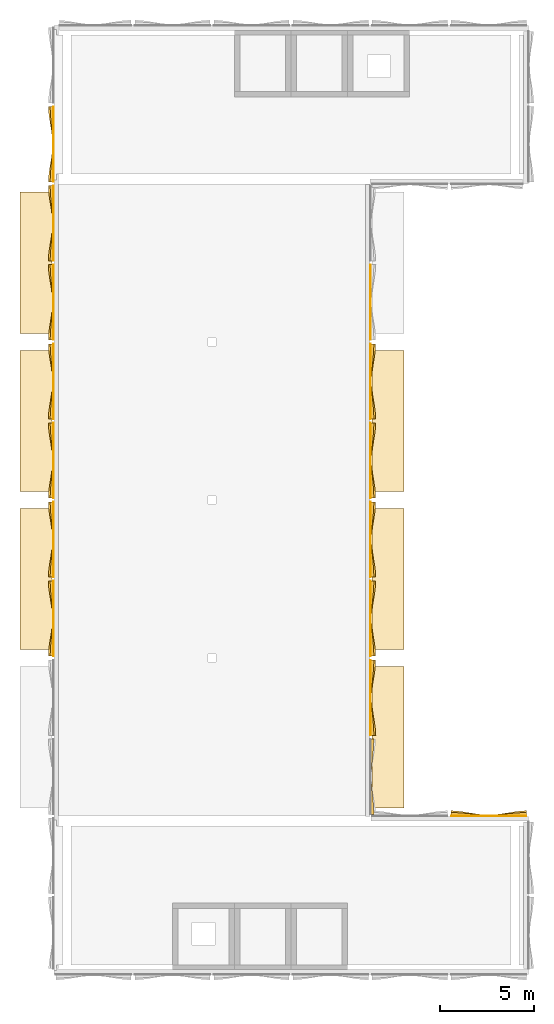
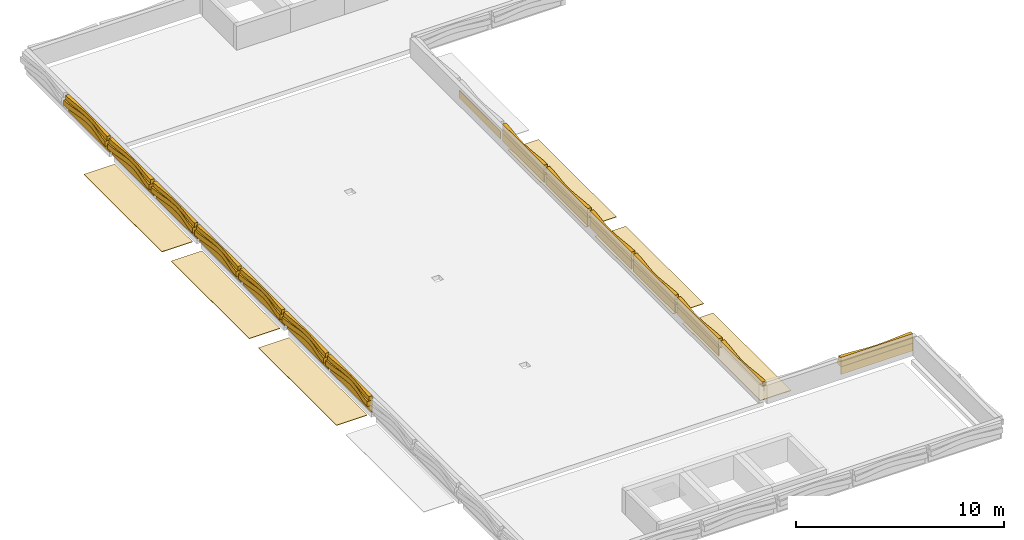
# One storey, part 3 of 4: 47 coverings.
"""IFC4 building model written with IfcOpenShell, lengths in metres."""

from ifc_helpers import new_model, si_unit, direction, frame, origin, origin_2d, place, context, subcontext, project, spatial, polyline, rectangle, outline, extrude, material, layer, layer_set, type_object, element, save


model = new_model("IFC4")

# Units and contexts
model_context = context("Model", 3, precision=1e-05, world=origin(), true_north=direction((0.0, 1.0)))
body_context = subcontext(model_context, "Body", "Model", "MODEL_VIEW")
ifc_project = project(units=[si_unit("LENGTHUNIT", "METRE"), si_unit("AREAUNIT", "SQUARE_METRE"), si_unit("VOLUMEUNIT", "CUBIC_METRE"), si_unit("PLANEANGLEUNIT", "RADIAN"), si_unit("MASSUNIT", "GRAM", prefix="KILO")], contexts=[model_context])

# Site, building, storey
site_placement = place(None, origin())
site = spatial("IfcSite", under=ifc_project, at=site_placement, CompositionType="ELEMENT")
building_placement = place(site_placement, origin())
building = spatial("IfcBuilding", under=site, at=building_placement, Name="Catenary Quay Ferry Terminal", CompositionType="ELEMENT")
storey_placement = place(building_placement, frame((0.0, 0.0, 24.10009765625)))
storey = spatial("IfcBuildingStorey", under=building, at=storey_placement, Name="ROOF", CompositionType="ELEMENT", Elevation=24.10009765625)

# Coverings
ifc_material_1 = material(Name="Facing brick", Category="masonry")
ifc_layer_1 = layer(ifc_material_1, 0.10009765625)
ifc_layer_set_1 = layer_set([ifc_layer_1], Name="CN1")
covering_type_1 = type_object("IfcCoveringType", Name="CN1", PredefinedType="CLADDING", material=ifc_layer_set_1)
covering_1_placement = place(storey_placement, frame((0.0, 0.0, 0.5498046875)))
element("IfcCovering", 1, at=covering_1_placement, inside=storey, type_object=covering_type_1, Name="Undulating corbelled cornice", PredefinedType="CLADDING", context=body_context, shape_type="SweptSolid", body=[
    extrude(outline(polyline([(25.199951171875, 176.5), (24.9013671875, 176.5), (24.9228515625, 176.833251953125), (24.96630859375, 177.166748046875), (25.02099609375, 177.5), (25.073486328125, 177.833251953125), (25.111328125, 178.166748046875), (25.125, 178.5), (25.111328125, 178.833251953125), (25.073486328125, 179.166748046875), (25.02099609375, 179.5), (24.96630859375, 179.833251953125), (24.9228515625, 180.166748046875), (24.9013671875, 180.5), (25.199951171875, 180.5), (25.199951171875, 176.5)])), origin(), (0.0, 0.0, 1.0), 0.300048828125),
])
covering_2_placement = place(storey_placement, frame((0.0, 0.0, 0.849853515625)))
element("IfcCovering", 2, at=covering_2_placement, inside=storey, type_object=covering_type_1, Name="Undulating corbelled cornice", PredefinedType="CLADDING", context=body_context, shape_type="SweptSolid", body=[
    extrude(outline(polyline([(25.199951171875, 176.5), (25.000732421875, 176.5), (25.0126953125, 176.833251953125), (25.036865234375, 177.166748046875), (25.067138671875, 177.5), (25.096435546875, 177.833251953125), (25.117431640625, 178.166748046875), (25.125, 178.5), (25.117431640625, 178.833251953125), (25.096435546875, 179.166748046875), (25.067138671875, 179.5), (25.036865234375, 179.833251953125), (25.0126953125, 180.166748046875), (25.000732421875, 180.5), (25.199951171875, 180.5), (25.199951171875, 176.5)])), origin(), (0.0, 0.0, 1.0), 0.25),
])
covering_3_placement = place(storey_placement, frame((0.0, 0.0, 0.5498046875)))
element("IfcCovering", 3, at=covering_3_placement, inside=storey, type_object=covering_type_1, Name="Undulating corbelled cornice", PredefinedType="CLADDING", context=body_context, shape_type="SweptSolid", body=[
    extrude(outline(polyline([(25.199951171875, 180.699951171875), (24.9013671875, 180.699951171875), (24.9228515625, 181.033203125), (24.96630859375, 181.36669921875), (25.02099609375, 181.699951171875), (25.073486328125, 182.033203125), (25.111328125, 182.36669921875), (25.125, 182.699951171875), (25.111328125, 183.033203125), (25.073486328125, 183.36669921875), (25.02099609375, 183.699951171875), (24.96630859375, 184.033203125), (24.9228515625, 184.36669921875), (24.9013671875, 184.699951171875), (25.199951171875, 184.699951171875), (25.199951171875, 180.699951171875)])), origin(), (0.0, 0.0, 1.0), 0.300048828125),
])
covering_4_placement = place(storey_placement, frame((0.0, 0.0, 0.849853515625)))
element("IfcCovering", 4, at=covering_4_placement, inside=storey, type_object=covering_type_1, Name="Undulating corbelled cornice", PredefinedType="CLADDING", context=body_context, shape_type="SweptSolid", body=[
    extrude(outline(polyline([(25.199951171875, 180.699951171875), (25.000732421875, 180.699951171875), (25.0126953125, 181.033203125), (25.036865234375, 181.36669921875), (25.067138671875, 181.699951171875), (25.096435546875, 182.033203125), (25.117431640625, 182.36669921875), (25.125, 182.699951171875), (25.117431640625, 183.033203125), (25.096435546875, 183.36669921875), (25.067138671875, 183.699951171875), (25.036865234375, 184.033203125), (25.0126953125, 184.36669921875), (25.000732421875, 184.699951171875), (25.199951171875, 184.699951171875), (25.199951171875, 180.699951171875)])), origin(), (0.0, 0.0, 1.0), 0.25),
])
covering_5_placement = place(storey_placement, frame((0.0, 0.0, 0.5498046875)))
element("IfcCovering", 5, at=covering_5_placement, inside=storey, type_object=covering_type_1, Name="Undulating corbelled cornice", PredefinedType="CLADDING", context=body_context, shape_type="SweptSolid", body=[
    extrude(outline(polyline([(25.199951171875, 184.89990234375), (24.9013671875, 184.89990234375), (24.9228515625, 185.2333984375), (24.96630859375, 185.566650390625), (25.02099609375, 185.89990234375), (25.073486328125, 186.2333984375), (25.111328125, 186.566650390625), (25.125, 186.89990234375), (25.111328125, 187.2333984375), (25.073486328125, 187.566650390625), (25.02099609375, 187.89990234375), (24.96630859375, 188.2333984375), (24.9228515625, 188.566650390625), (24.9013671875, 188.89990234375), (25.199951171875, 188.89990234375), (25.199951171875, 184.89990234375)])), origin(), (0.0, 0.0, 1.0), 0.300048828125),
])
covering_6_placement = place(storey_placement, frame((0.0, 0.0, 0.849853515625)))
element("IfcCovering", 6, at=covering_6_placement, inside=storey, type_object=covering_type_1, Name="Undulating corbelled cornice", PredefinedType="CLADDING", context=body_context, shape_type="SweptSolid", body=[
    extrude(outline(polyline([(25.199951171875, 184.89990234375), (25.000732421875, 184.89990234375), (25.0126953125, 185.2333984375), (25.036865234375, 185.566650390625), (25.067138671875, 185.89990234375), (25.096435546875, 186.2333984375), (25.117431640625, 186.566650390625), (25.125, 186.89990234375), (25.117431640625, 187.2333984375), (25.096435546875, 187.566650390625), (25.067138671875, 187.89990234375), (25.036865234375, 188.2333984375), (25.0126953125, 188.566650390625), (25.000732421875, 188.89990234375), (25.199951171875, 188.89990234375), (25.199951171875, 184.89990234375)])), origin(), (0.0, 0.0, 1.0), 0.25),
])
covering_7_placement = place(storey_placement, frame((0.0, 0.0, 0.5498046875)))
element("IfcCovering", 7, at=covering_7_placement, inside=storey, type_object=covering_type_1, Name="Undulating corbelled cornice", PredefinedType="CLADDING", context=body_context, shape_type="SweptSolid", body=[
    extrude(outline(polyline([(25.199951171875, 189.10009765625), (24.9013671875, 189.10009765625), (24.9228515625, 189.433349609375), (24.96630859375, 189.7666015625), (25.02099609375, 190.10009765625), (25.073486328125, 190.433349609375), (25.111328125, 190.7666015625), (25.125, 191.10009765625), (25.111328125, 191.433349609375), (25.073486328125, 191.7666015625), (25.02099609375, 192.10009765625), (24.96630859375, 192.433349609375), (24.9228515625, 192.7666015625), (24.9013671875, 193.10009765625), (25.199951171875, 193.10009765625), (25.199951171875, 189.10009765625)])), origin(), (0.0, 0.0, 1.0), 0.300048828125),
])
covering_8_placement = place(storey_placement, frame((0.0, 0.0, 0.849853515625)))
element("IfcCovering", 8, at=covering_8_placement, inside=storey, type_object=covering_type_1, Name="Undulating corbelled cornice", PredefinedType="CLADDING", context=body_context, shape_type="SweptSolid", body=[
    extrude(outline(polyline([(25.199951171875, 189.10009765625), (25.000732421875, 189.10009765625), (25.0126953125, 189.433349609375), (25.036865234375, 189.7666015625), (25.067138671875, 190.10009765625), (25.096435546875, 190.433349609375), (25.117431640625, 190.7666015625), (25.125, 191.10009765625), (25.117431640625, 191.433349609375), (25.096435546875, 191.7666015625), (25.067138671875, 192.10009765625), (25.036865234375, 192.433349609375), (25.0126953125, 192.7666015625), (25.000732421875, 193.10009765625), (25.199951171875, 193.10009765625), (25.199951171875, 189.10009765625)])), origin(), (0.0, 0.0, 1.0), 0.25),
])
covering_9_placement = place(storey_placement, frame((0.0, 0.0, 0.5498046875)))
element("IfcCovering", 9, at=covering_9_placement, inside=storey, type_object=covering_type_1, Name="Undulating corbelled cornice", PredefinedType="CLADDING", context=body_context, shape_type="SweptSolid", body=[
    extrude(outline(polyline([(25.199951171875, 193.300048828125), (24.9013671875, 193.300048828125), (24.9228515625, 193.63330078125), (24.96630859375, 193.966796875), (25.02099609375, 194.300048828125), (25.073486328125, 194.63330078125), (25.111328125, 194.966796875), (25.125, 195.300048828125), (25.111328125, 195.63330078125), (25.073486328125, 195.966796875), (25.02099609375, 196.300048828125), (24.96630859375, 196.63330078125), (24.9228515625, 196.966796875), (24.9013671875, 197.300048828125), (25.199951171875, 197.300048828125), (25.199951171875, 193.300048828125)])), origin(), (0.0, 0.0, 1.0), 0.300048828125),
])
covering_10_placement = place(storey_placement, frame((0.0, 0.0, 0.849853515625)))
element("IfcCovering", 10, at=covering_10_placement, inside=storey, type_object=covering_type_1, Name="Undulating corbelled cornice", PredefinedType="CLADDING", context=body_context, shape_type="SweptSolid", body=[
    extrude(outline(polyline([(25.199951171875, 193.300048828125), (25.000732421875, 193.300048828125), (25.0126953125, 193.63330078125), (25.036865234375, 193.966796875), (25.067138671875, 194.300048828125), (25.096435546875, 194.63330078125), (25.117431640625, 194.966796875), (25.125, 195.300048828125), (25.117431640625, 195.63330078125), (25.096435546875, 195.966796875), (25.067138671875, 196.300048828125), (25.036865234375, 196.63330078125), (25.0126953125, 196.966796875), (25.000732421875, 197.300048828125), (25.199951171875, 197.300048828125), (25.199951171875, 193.300048828125)])), origin(), (0.0, 0.0, 1.0), 0.25),
])
covering_11_placement = place(storey_placement, frame((0.0, 0.0, 0.5498046875)))
element("IfcCovering", 11, at=covering_11_placement, inside=storey, type_object=covering_type_1, Name="Undulating corbelled cornice", PredefinedType="CLADDING", context=body_context, shape_type="SweptSolid", body=[
    extrude(outline(polyline([(25.199951171875, 197.5), (24.9013671875, 197.5), (24.9228515625, 197.833251953125), (24.96630859375, 198.166748046875), (25.02099609375, 198.5), (25.073486328125, 198.833251953125), (25.111328125, 199.166748046875), (25.125, 199.5), (25.111328125, 199.833251953125), (25.073486328125, 200.166748046875), (25.02099609375, 200.5), (24.96630859375, 200.833251953125), (24.9228515625, 201.166748046875), (24.9013671875, 201.5), (25.199951171875, 201.5), (25.199951171875, 197.5)])), origin(), (0.0, 0.0, 1.0), 0.300048828125),
])
covering_12_placement = place(storey_placement, frame((0.0, 0.0, 0.849853515625)))
element("IfcCovering", 12, at=covering_12_placement, inside=storey, type_object=covering_type_1, Name="Undulating corbelled cornice", PredefinedType="CLADDING", context=body_context, shape_type="SweptSolid", body=[
    extrude(outline(polyline([(25.199951171875, 197.5), (25.000732421875, 197.5), (25.0126953125, 197.833251953125), (25.036865234375, 198.166748046875), (25.067138671875, 198.5), (25.096435546875, 198.833251953125), (25.117431640625, 199.166748046875), (25.125, 199.5), (25.117431640625, 199.833251953125), (25.096435546875, 200.166748046875), (25.067138671875, 200.5), (25.036865234375, 200.833251953125), (25.0126953125, 201.166748046875), (25.000732421875, 201.5), (25.199951171875, 201.5), (25.199951171875, 197.5)])), origin(), (0.0, 0.0, 1.0), 0.25),
])
covering_13_placement = place(storey_placement, frame((0.0, 0.0, 0.5498046875)))
element("IfcCovering", 13, at=covering_13_placement, inside=storey, type_object=covering_type_1, Name="Undulating corbelled cornice", PredefinedType="CLADDING", context=body_context, shape_type="SweptSolid", body=[
    extrude(outline(polyline([(25.199951171875, 201.699951171875), (24.9013671875, 201.699951171875), (24.9228515625, 202.033203125), (24.96630859375, 202.36669921875), (25.02099609375, 202.699951171875), (25.073486328125, 203.033203125), (25.111328125, 203.36669921875), (25.125, 203.699951171875), (25.111328125, 204.033203125), (25.073486328125, 204.36669921875), (25.02099609375, 204.699951171875), (24.96630859375, 205.033203125), (24.9228515625, 205.36669921875), (24.9013671875, 205.699951171875), (25.199951171875, 205.699951171875), (25.199951171875, 201.699951171875)])), origin(), (0.0, 0.0, 1.0), 0.300048828125),
])
covering_14_placement = place(storey_placement, frame((0.0, 0.0, 0.849853515625)))
element("IfcCovering", 14, at=covering_14_placement, inside=storey, type_object=covering_type_1, Name="Undulating corbelled cornice", PredefinedType="CLADDING", context=body_context, shape_type="SweptSolid", body=[
    extrude(outline(polyline([(25.199951171875, 201.699951171875), (25.000732421875, 201.699951171875), (25.0126953125, 202.033203125), (25.036865234375, 202.36669921875), (25.067138671875, 202.699951171875), (25.096435546875, 203.033203125), (25.117431640625, 203.36669921875), (25.125, 203.699951171875), (25.117431640625, 204.033203125), (25.096435546875, 204.36669921875), (25.067138671875, 204.699951171875), (25.036865234375, 205.033203125), (25.0126953125, 205.36669921875), (25.000732421875, 205.699951171875), (25.199951171875, 205.699951171875), (25.199951171875, 201.699951171875)])), origin(), (0.0, 0.0, 1.0), 0.25),
])
covering_15_placement = place(storey_placement, frame((0.0, 0.0, 0.849853515625)))
element("IfcCovering", 15, at=covering_15_placement, inside=storey, type_object=covering_type_1, Name="Undulating corbelled cornice", PredefinedType="CLADDING", context=body_context, shape_type="SweptSolid", body=[
    extrude(outline(polyline([(42.0, 168.10009765625), (42.19921875, 168.10009765625), (42.187255859375, 168.433349609375), (42.1630859375, 168.7666015625), (42.1328125, 169.10009765625), (42.103515625, 169.433349609375), (42.08251953125, 169.7666015625), (42.074951171875, 170.10009765625), (42.08251953125, 170.433349609375), (42.103515625, 170.7666015625), (42.1328125, 171.10009765625), (42.1630859375, 171.433349609375), (42.187255859375, 171.7666015625), (42.19921875, 172.10009765625), (42.0, 172.10009765625), (42.0, 168.10009765625)])), origin(), (0.0, 0.0, 1.0), 0.25),
])
covering_16_placement = place(storey_placement, frame((0.0, 0.0, 0.5498046875)))
element("IfcCovering", 16, at=covering_16_placement, inside=storey, type_object=covering_type_1, Name="Undulating corbelled cornice", PredefinedType="CLADDING", context=body_context, shape_type="SweptSolid", body=[
    extrude(outline(polyline([(42.0, 172.300048828125), (42.298583984375, 172.300048828125), (42.277099609375, 172.63330078125), (42.23388671875, 172.966796875), (42.17919921875, 173.300048828125), (42.12646484375, 173.63330078125), (42.088623046875, 173.966796875), (42.074951171875, 174.300048828125), (42.088623046875, 174.63330078125), (42.12646484375, 174.966796875), (42.17919921875, 175.300048828125), (42.23388671875, 175.63330078125), (42.277099609375, 175.966796875), (42.298583984375, 176.300048828125), (42.0, 176.300048828125), (42.0, 172.300048828125)])), origin(), (0.0, 0.0, 1.0), 0.300048828125),
])
covering_17_placement = place(storey_placement, frame((0.0, 0.0, 0.849853515625)))
element("IfcCovering", 17, at=covering_17_placement, inside=storey, type_object=covering_type_1, Name="Undulating corbelled cornice", PredefinedType="CLADDING", context=body_context, shape_type="SweptSolid", body=[
    extrude(outline(polyline([(42.0, 172.300048828125), (42.19921875, 172.300048828125), (42.187255859375, 172.63330078125), (42.1630859375, 172.966796875), (42.1328125, 173.300048828125), (42.103515625, 173.63330078125), (42.08251953125, 173.966796875), (42.074951171875, 174.300048828125), (42.08251953125, 174.63330078125), (42.103515625, 174.966796875), (42.1328125, 175.300048828125), (42.1630859375, 175.63330078125), (42.187255859375, 175.966796875), (42.19921875, 176.300048828125), (42.0, 176.300048828125), (42.0, 172.300048828125)])), origin(), (0.0, 0.0, 1.0), 0.25),
])
covering_18_placement = place(storey_placement, frame((0.0, 0.0, 0.5498046875)))
element("IfcCovering", 18, at=covering_18_placement, inside=storey, type_object=covering_type_1, Name="Undulating corbelled cornice", PredefinedType="CLADDING", context=body_context, shape_type="SweptSolid", body=[
    extrude(outline(polyline([(42.0, 176.5), (42.298583984375, 176.5), (42.277099609375, 176.833251953125), (42.23388671875, 177.166748046875), (42.17919921875, 177.5), (42.12646484375, 177.833251953125), (42.088623046875, 178.166748046875), (42.074951171875, 178.5), (42.088623046875, 178.833251953125), (42.12646484375, 179.166748046875), (42.17919921875, 179.5), (42.23388671875, 179.833251953125), (42.277099609375, 180.166748046875), (42.298583984375, 180.5), (42.0, 180.5), (42.0, 176.5)])), origin(), (0.0, 0.0, 1.0), 0.300048828125),
])
covering_19_placement = place(storey_placement, frame((0.0, 0.0, 0.849853515625)))
element("IfcCovering", 19, at=covering_19_placement, inside=storey, type_object=covering_type_1, Name="Undulating corbelled cornice", PredefinedType="CLADDING", context=body_context, shape_type="SweptSolid", body=[
    extrude(outline(polyline([(42.0, 176.5), (42.19921875, 176.5), (42.187255859375, 176.833251953125), (42.1630859375, 177.166748046875), (42.1328125, 177.5), (42.103515625, 177.833251953125), (42.08251953125, 178.166748046875), (42.074951171875, 178.5), (42.08251953125, 178.833251953125), (42.103515625, 179.166748046875), (42.1328125, 179.5), (42.1630859375, 179.833251953125), (42.187255859375, 180.166748046875), (42.19921875, 180.5), (42.0, 180.5), (42.0, 176.5)])), origin(), (0.0, 0.0, 1.0), 0.25),
])
covering_20_placement = place(storey_placement, frame((0.0, 0.0, 0.5498046875)))
element("IfcCovering", 20, at=covering_20_placement, inside=storey, type_object=covering_type_1, Name="Undulating corbelled cornice", PredefinedType="CLADDING", context=body_context, shape_type="SweptSolid", body=[
    extrude(outline(polyline([(42.0, 180.699951171875), (42.298583984375, 180.699951171875), (42.277099609375, 181.033203125), (42.23388671875, 181.36669921875), (42.17919921875, 181.699951171875), (42.12646484375, 182.033203125), (42.088623046875, 182.36669921875), (42.074951171875, 182.699951171875), (42.088623046875, 183.033203125), (42.12646484375, 183.36669921875), (42.17919921875, 183.699951171875), (42.23388671875, 184.033203125), (42.277099609375, 184.36669921875), (42.298583984375, 184.699951171875), (42.0, 184.699951171875), (42.0, 180.699951171875)])), origin(), (0.0, 0.0, 1.0), 0.300048828125),
])
covering_21_placement = place(storey_placement, frame((0.0, 0.0, 0.849853515625)))
element("IfcCovering", 21, at=covering_21_placement, inside=storey, type_object=covering_type_1, Name="Undulating corbelled cornice", PredefinedType="CLADDING", context=body_context, shape_type="SweptSolid", body=[
    extrude(outline(polyline([(42.0, 180.699951171875), (42.19921875, 180.699951171875), (42.187255859375, 181.033203125), (42.1630859375, 181.36669921875), (42.1328125, 181.699951171875), (42.103515625, 182.033203125), (42.08251953125, 182.36669921875), (42.074951171875, 182.699951171875), (42.08251953125, 183.033203125), (42.103515625, 183.36669921875), (42.1328125, 183.699951171875), (42.1630859375, 184.033203125), (42.187255859375, 184.36669921875), (42.19921875, 184.699951171875), (42.0, 184.699951171875), (42.0, 180.699951171875)])), origin(), (0.0, 0.0, 1.0), 0.25),
])
covering_22_placement = place(storey_placement, frame((0.0, 0.0, 0.5498046875)))
element("IfcCovering", 22, at=covering_22_placement, inside=storey, type_object=covering_type_1, Name="Undulating corbelled cornice", PredefinedType="CLADDING", context=body_context, shape_type="SweptSolid", body=[
    extrude(outline(polyline([(42.0, 184.89990234375), (42.298583984375, 184.89990234375), (42.277099609375, 185.2333984375), (42.23388671875, 185.566650390625), (42.17919921875, 185.89990234375), (42.12646484375, 186.2333984375), (42.088623046875, 186.566650390625), (42.074951171875, 186.89990234375), (42.088623046875, 187.2333984375), (42.12646484375, 187.566650390625), (42.17919921875, 187.89990234375), (42.23388671875, 188.2333984375), (42.277099609375, 188.566650390625), (42.298583984375, 188.89990234375), (42.0, 188.89990234375), (42.0, 184.89990234375)])), origin(), (0.0, 0.0, 1.0), 0.300048828125),
])
covering_23_placement = place(storey_placement, frame((0.0, 0.0, 0.849853515625)))
element("IfcCovering", 23, at=covering_23_placement, inside=storey, type_object=covering_type_1, Name="Undulating corbelled cornice", PredefinedType="CLADDING", context=body_context, shape_type="SweptSolid", body=[
    extrude(outline(polyline([(42.0, 184.89990234375), (42.19921875, 184.89990234375), (42.187255859375, 185.2333984375), (42.1630859375, 185.566650390625), (42.1328125, 185.89990234375), (42.103515625, 186.2333984375), (42.08251953125, 186.566650390625), (42.074951171875, 186.89990234375), (42.08251953125, 187.2333984375), (42.103515625, 187.566650390625), (42.1328125, 187.89990234375), (42.1630859375, 188.2333984375), (42.187255859375, 188.566650390625), (42.19921875, 188.89990234375), (42.0, 188.89990234375), (42.0, 184.89990234375)])), origin(), (0.0, 0.0, 1.0), 0.25),
])
covering_24_placement = place(storey_placement, frame((0.0, 0.0, 0.5498046875)))
element("IfcCovering", 24, at=covering_24_placement, inside=storey, type_object=covering_type_1, Name="Undulating corbelled cornice", PredefinedType="CLADDING", context=body_context, shape_type="SweptSolid", body=[
    extrude(outline(polyline([(42.0, 189.10009765625), (42.298583984375, 189.10009765625), (42.277099609375, 189.433349609375), (42.23388671875, 189.7666015625), (42.17919921875, 190.10009765625), (42.12646484375, 190.433349609375), (42.088623046875, 190.7666015625), (42.074951171875, 191.10009765625), (42.088623046875, 191.433349609375), (42.12646484375, 191.7666015625), (42.17919921875, 192.10009765625), (42.23388671875, 192.433349609375), (42.277099609375, 192.7666015625), (42.298583984375, 193.10009765625), (42.0, 193.10009765625), (42.0, 189.10009765625)])), origin(), (0.0, 0.0, 1.0), 0.300048828125),
])
covering_25_placement = place(storey_placement, frame((0.0, 0.0, 0.849853515625)))
element("IfcCovering", 25, at=covering_25_placement, inside=storey, type_object=covering_type_1, Name="Undulating corbelled cornice", PredefinedType="CLADDING", context=body_context, shape_type="SweptSolid", body=[
    extrude(outline(polyline([(42.0, 189.10009765625), (42.19921875, 189.10009765625), (42.187255859375, 189.433349609375), (42.1630859375, 189.7666015625), (42.1328125, 190.10009765625), (42.103515625, 190.433349609375), (42.08251953125, 190.7666015625), (42.074951171875, 191.10009765625), (42.08251953125, 191.433349609375), (42.103515625, 191.7666015625), (42.1328125, 192.10009765625), (42.1630859375, 192.433349609375), (42.187255859375, 192.7666015625), (42.19921875, 193.10009765625), (42.0, 193.10009765625), (42.0, 189.10009765625)])), origin(), (0.0, 0.0, 1.0), 0.25),
])
covering_26_placement = place(storey_placement, frame((0.0, 0.0, 0.5498046875)))
element("IfcCovering", 26, at=covering_26_placement, inside=storey, type_object=covering_type_1, Name="Undulating corbelled cornice", PredefinedType="CLADDING", context=body_context, shape_type="SweptSolid", body=[
    extrude(outline(polyline([(46.300048828125, 168.0), (46.300048828125, 168.298583984375), (46.63330078125, 168.277099609375), (46.966796875, 168.23388671875), (47.300048828125, 168.17919921875), (47.63330078125, 168.12646484375), (47.966796875, 168.088623046875), (48.300048828125, 168.074951171875), (48.63330078125, 168.088623046875), (48.966796875, 168.12646484375), (49.300048828125, 168.17919921875), (49.63330078125, 168.23388671875), (49.966796875, 168.277099609375), (50.300048828125, 168.298583984375), (50.300048828125, 168.0), (46.300048828125, 168.0)])), origin(), (0.0, 0.0, 1.0), 0.300048828125),
])
covering_27_placement = place(storey_placement, frame((0.0, 0.0, 0.849853515625)))
element("IfcCovering", 27, at=covering_27_placement, inside=storey, type_object=covering_type_1, Name="Undulating corbelled cornice", PredefinedType="CLADDING", context=body_context, shape_type="SweptSolid", body=[
    extrude(outline(polyline([(46.300048828125, 168.0), (46.300048828125, 168.19921875), (46.63330078125, 168.187255859375), (46.966796875, 168.1630859375), (47.300048828125, 168.1328125), (47.63330078125, 168.103515625), (47.966796875, 168.08251953125), (48.300048828125, 168.074951171875), (48.63330078125, 168.08251953125), (48.966796875, 168.103515625), (49.300048828125, 168.1328125), (49.63330078125, 168.1630859375), (49.966796875, 168.187255859375), (50.300048828125, 168.19921875), (50.300048828125, 168.0), (46.300048828125, 168.0)])), origin(), (0.0, 0.0, 1.0), 0.25),
])
ifc_material_2 = material(Name="Ceramic tile")
ifc_layer_2 = layer(ifc_material_2, 0.030029296875)
ifc_layer_set_2 = layer_set([ifc_layer_2], Name="FR1")
covering_type_2 = type_object("IfcCoveringType", Name="FR1", PredefinedType="CLADDING", material=ifc_layer_set_2)
covering_28_placement = place(storey_placement, frame((0.0, 0.0, 0.099853515625)))
element("IfcCovering", 28, at=covering_28_placement, inside=storey, type_object=covering_type_2, Name="Glazed tile frieze", PredefinedType="CLADDING", context=body_context, shape_type="SweptSolid", body=[
    extrude(outline(polyline([(25.199951171875, 176.5), (25.199951171875, 180.5), (25.169921875, 180.5), (25.169921875, 176.5), (25.199951171875, 176.5)])), origin(), (0.0, 0.0, 1.0), 0.449951171875),
])
covering_29_placement = place(storey_placement, frame((0.0, 0.0, 0.099853515625)))
element("IfcCovering", 29, at=covering_29_placement, inside=storey, type_object=covering_type_2, Name="Glazed tile frieze", PredefinedType="CLADDING", context=body_context, shape_type="SweptSolid", body=[
    extrude(outline(polyline([(25.199951171875, 180.699951171875), (25.199951171875, 184.699951171875), (25.169921875, 184.699951171875), (25.169921875, 180.699951171875), (25.199951171875, 180.699951171875)])), origin(), (0.0, 0.0, 1.0), 0.449951171875),
])
covering_30_placement = place(storey_placement, frame((0.0, 0.0, 0.099853515625)))
element("IfcCovering", 30, at=covering_30_placement, inside=storey, type_object=covering_type_2, Name="Glazed tile frieze", PredefinedType="CLADDING", context=body_context, shape_type="SweptSolid", body=[
    extrude(outline(polyline([(25.199951171875, 184.89990234375), (25.199951171875, 188.89990234375), (25.169921875, 188.89990234375), (25.169921875, 184.89990234375), (25.199951171875, 184.89990234375)])), origin(), (0.0, 0.0, 1.0), 0.449951171875),
])
covering_31_placement = place(storey_placement, frame((0.0, 0.0, 0.099853515625)))
element("IfcCovering", 31, at=covering_31_placement, inside=storey, type_object=covering_type_2, Name="Glazed tile frieze", PredefinedType="CLADDING", context=body_context, shape_type="SweptSolid", body=[
    extrude(outline(polyline([(25.199951171875, 189.10009765625), (25.199951171875, 193.10009765625), (25.169921875, 193.10009765625), (25.169921875, 189.10009765625), (25.199951171875, 189.10009765625)])), origin(), (0.0, 0.0, 1.0), 0.449951171875),
])
covering_32_placement = place(storey_placement, frame((0.0, 0.0, 0.099853515625)))
element("IfcCovering", 32, at=covering_32_placement, inside=storey, type_object=covering_type_2, Name="Glazed tile frieze", PredefinedType="CLADDING", context=body_context, shape_type="SweptSolid", body=[
    extrude(outline(polyline([(25.199951171875, 193.300048828125), (25.199951171875, 197.300048828125), (25.169921875, 197.300048828125), (25.169921875, 193.300048828125), (25.199951171875, 193.300048828125)])), origin(), (0.0, 0.0, 1.0), 0.449951171875),
])
covering_33_placement = place(storey_placement, frame((0.0, 0.0, 0.099853515625)))
element("IfcCovering", 33, at=covering_33_placement, inside=storey, type_object=covering_type_2, Name="Glazed tile frieze", PredefinedType="CLADDING", context=body_context, shape_type="SweptSolid", body=[
    extrude(outline(polyline([(25.199951171875, 197.5), (25.199951171875, 201.5), (25.169921875, 201.5), (25.169921875, 197.5), (25.199951171875, 197.5)])), origin(), (0.0, 0.0, 1.0), 0.449951171875),
])
covering_34_placement = place(storey_placement, frame((0.0, 0.0, 0.099853515625)))
element("IfcCovering", 34, at=covering_34_placement, inside=storey, type_object=covering_type_2, Name="Glazed tile frieze", PredefinedType="CLADDING", context=body_context, shape_type="SweptSolid", body=[
    extrude(outline(polyline([(25.199951171875, 201.699951171875), (25.199951171875, 205.699951171875), (25.169921875, 205.699951171875), (25.169921875, 201.699951171875), (25.199951171875, 201.699951171875)])), origin(), (0.0, 0.0, 1.0), 0.449951171875),
])
covering_35_placement = place(storey_placement, frame((0.0, 0.0, 0.099853515625)))
element("IfcCovering", 35, at=covering_35_placement, inside=storey, type_object=covering_type_2, Name="Glazed tile frieze", PredefinedType="CLADDING", context=body_context, shape_type="SweptSolid", body=[
    extrude(outline(polyline([(42.0, 172.300048828125), (42.0, 176.300048828125), (42.030029296875, 176.300048828125), (42.030029296875, 172.300048828125), (42.0, 172.300048828125)])), origin(), (0.0, 0.0, 1.0), 0.449951171875),
])
covering_36_placement = place(storey_placement, frame((0.0, 0.0, 0.099853515625)))
element("IfcCovering", 36, at=covering_36_placement, inside=storey, type_object=covering_type_2, Name="Glazed tile frieze", PredefinedType="CLADDING", context=body_context, shape_type="SweptSolid", body=[
    extrude(outline(polyline([(42.0, 176.5), (42.0, 180.5), (42.030029296875, 180.5), (42.030029296875, 176.5), (42.0, 176.5)])), origin(), (0.0, 0.0, 1.0), 0.449951171875),
])
covering_37_placement = place(storey_placement, frame((0.0, 0.0, 0.099853515625)))
element("IfcCovering", 37, at=covering_37_placement, inside=storey, type_object=covering_type_2, Name="Glazed tile frieze", PredefinedType="CLADDING", context=body_context, shape_type="SweptSolid", body=[
    extrude(outline(polyline([(42.0, 180.699951171875), (42.0, 184.699951171875), (42.030029296875, 184.699951171875), (42.030029296875, 180.699951171875), (42.0, 180.699951171875)])), origin(), (0.0, 0.0, 1.0), 0.449951171875),
])
covering_38_placement = place(storey_placement, frame((0.0, 0.0, 0.099853515625)))
element("IfcCovering", 38, at=covering_38_placement, inside=storey, type_object=covering_type_2, Name="Glazed tile frieze", PredefinedType="CLADDING", context=body_context, shape_type="SweptSolid", body=[
    extrude(outline(polyline([(42.0, 184.89990234375), (42.0, 188.89990234375), (42.030029296875, 188.89990234375), (42.030029296875, 184.89990234375), (42.0, 184.89990234375)])), origin(), (0.0, 0.0, 1.0), 0.449951171875),
])
covering_39_placement = place(storey_placement, frame((0.0, 0.0, 0.099853515625)))
element("IfcCovering", 39, at=covering_39_placement, inside=storey, type_object=covering_type_2, Name="Glazed tile frieze", PredefinedType="CLADDING", context=body_context, shape_type="SweptSolid", body=[
    extrude(outline(polyline([(42.0, 189.10009765625), (42.0, 193.10009765625), (42.030029296875, 193.10009765625), (42.030029296875, 189.10009765625), (42.0, 189.10009765625)])), origin(), (0.0, 0.0, 1.0), 0.449951171875),
])
covering_40_placement = place(storey_placement, frame((0.0, 0.0, 0.099853515625)))
element("IfcCovering", 40, at=covering_40_placement, inside=storey, type_object=covering_type_2, Name="Glazed tile frieze", PredefinedType="CLADDING", context=body_context, shape_type="SweptSolid", body=[
    extrude(outline(polyline([(42.0, 193.300048828125), (42.0, 197.300048828125), (42.030029296875, 197.300048828125), (42.030029296875, 193.300048828125), (42.0, 193.300048828125)])), origin(), (0.0, 0.0, 1.0), 0.449951171875),
])
covering_41_placement = place(storey_placement, frame((0.0, 0.0, 0.099853515625)))
element("IfcCovering", 41, at=covering_41_placement, inside=storey, type_object=covering_type_2, Name="Glazed tile frieze", PredefinedType="CLADDING", context=body_context, shape_type="SweptSolid", body=[
    extrude(outline(polyline([(46.300048828125, 168.0), (50.300048828125, 168.0), (50.300048828125, 168.030029296875), (46.300048828125, 168.030029296875), (46.300048828125, 168.0)])), origin(), (0.0, 0.0, 1.0), 0.449951171875),
])
ifc_material_3 = material(Name="Laminated glass", Category="glass")
ifc_layer_3 = layer(ifc_material_3, 0.030029296875)
ifc_layer_set_3 = layer_set([ifc_layer_3], Name="RF2")
covering_type_3 = type_object("IfcCoveringType", Name="RF2", PredefinedType="ROOFING", material=ifc_layer_set_3)
for number, where, z_axis, x_axis, name in (
    (42, (24.252197265625, 180.60009765625, -0.25), (0.0, 0.0, 1.0), (1.0, 0.0, 0.0), "Eaves canopy, laminated glass"),
    (43, (24.252197265625, 189.0, -0.25), (0.0, 0.0, 1.0), (1.0, 0.0, 0.0), "Eaves canopy, laminated glass"),
    (44, (24.252197265625, 197.39990234375, -0.25), (0.0, 0.0, 1.0), (1.0, 0.0, 0.0), "Eaves canopy, laminated glass"),
    (45, (42.94775390625, 172.199951171875, -0.25), (0.0, 0.0, 1.0), (1.0, 0.0, 0.0), "Eaves canopy, laminated glass"),
    (46, (42.94775390625, 180.60009765625, -0.25), (0.0, 0.0, 1.0), (1.0, 0.0, 0.0), "Eaves canopy, laminated glass"),
    (47, (42.94775390625, 189.0, -0.25), (0.0, 0.0, 1.0), (1.0, 0.0, 0.0), "Eaves canopy, laminated glass"),
):
    element("IfcCovering", number, at=place(storey_placement, frame(where, z_axis=z_axis, x_axis=x_axis)), inside=storey, type_object=covering_type_3, Name=name, PredefinedType="ROOFING", context=body_context, shape_type="SweptSolid", body=[
        extrude(rectangle(XDim=1.70458984375, YDim=7.5, at=origin_2d()), origin(), (0.0, 0.0, 1.0), 0.030029296875),
    ])

save(model, "model.ifc")
